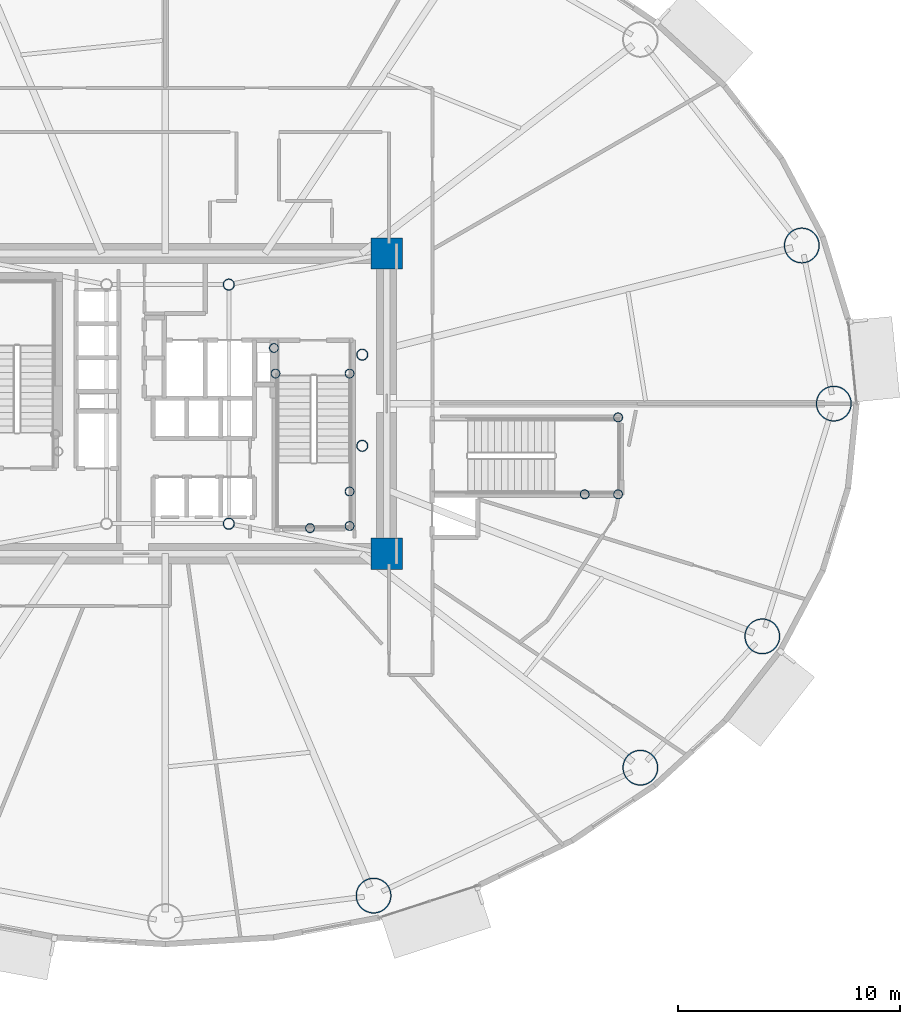
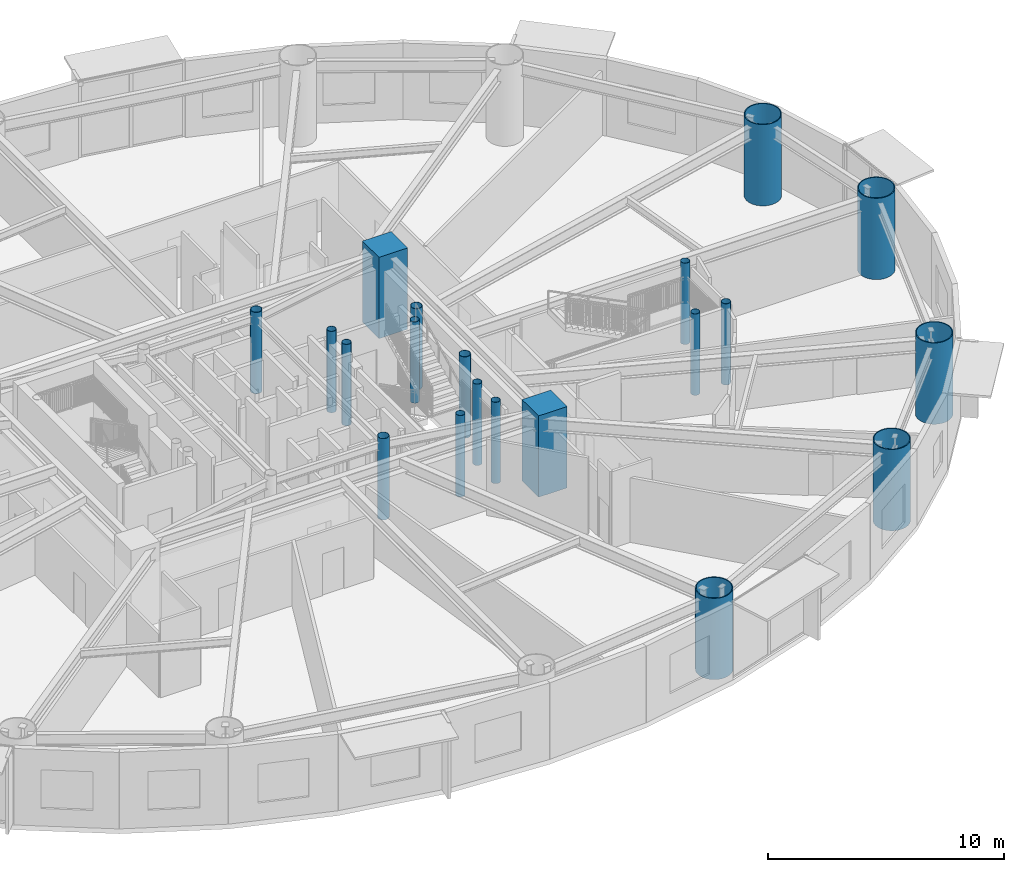
# One storey, part 2 of 32: 20 columns.
"""IFC4 building model written with IfcOpenShell, lengths in metres."""

from ifc_helpers import new_model, si_unit, direction, frame, origin, origin_2d, place, context, subcontext, project, spatial, rectangle, hollow_circle, extrude, material, material_profile, profile_set, type_object, element, save


model = new_model("IFC4")

# Units and contexts
model_context = context("Model", 3, precision=1e-05, world=origin(), true_north=direction((0.0, 1.0)))
body_context = subcontext(model_context, "Body", "Model", "MODEL_VIEW")
ifc_project = project(units=[si_unit("LENGTHUNIT", "METRE"), si_unit("AREAUNIT", "SQUARE_METRE"), si_unit("VOLUMEUNIT", "CUBIC_METRE"), si_unit("PLANEANGLEUNIT", "RADIAN"), si_unit("MASSUNIT", "GRAM", prefix="KILO")], contexts=[model_context])

# Site, building, storey
site_placement = place(None, origin())
site = spatial("IfcSite", under=ifc_project, at=site_placement, CompositionType="ELEMENT")
building_placement = place(site_placement, origin())
building = spatial("IfcBuilding", under=site, at=building_placement, Name="Linh Dai School and Residence Tower", CompositionType="ELEMENT")
storey_placement = place(building_placement, frame((0.0, 0.0, 40.800048828125)))
storey = spatial("IfcBuildingStorey", under=building, at=storey_placement, Name="L09", CompositionType="ELEMENT", Elevation=40.800048828125)

# Columns
ifc_material_1 = material(Name="Concrete B60 (C50/60)", Category="concrete")
ifc_material_profile_1 = material_profile(ifc_material_1, rectangle(XDim=1.39990234375, YDim=1.39990234375, at=origin_2d()), Name="RC 1400x1400")
ifc_profile_set_1 = profile_set([ifc_material_profile_1], Name="Concrete B60 (C50/60)")
column_type_1 = type_object("IfcColumnType", Name="COL-CC1", PredefinedType="COLUMN", material=ifc_profile_set_1)
for number, where, z_axis, x_axis, name in (
    (1, (45.949951171875, 20.25, 0.0), (0.0, 0.0, 1.0), (1.0, 0.0, 0.0), "L09 Core Corner Pier CC2"),
    (2, (45.949951171875, 33.75, 0.0), (0.0, 0.0, 1.0), (1.0, 0.0, 0.0), "L09 Core Corner Pier CC3"),
):
    element("IfcColumn", number, at=place(storey_placement, frame(where, z_axis=z_axis, x_axis=x_axis)), inside=storey, type_object=column_type_1, Name=name, PredefinedType="COLUMN", context=body_context, shape_type="SweptSolid", body=[
        extrude(rectangle(XDim=1.39990234375, YDim=1.39990234375, at=origin_2d()), origin(), (0.0, 0.0, 1.0), 4.199951171875),
    ])
ifc_material_2 = material(Name="Structural Steel S355JR", Category="steel")
ifc_material_profile_2 = material_profile(ifc_material_2, hollow_circle(Radius=0.203125, WallThickness=0.01611328125, at=origin_2d()), Name="CHS 406.4x16")
ifc_profile_set_2 = profile_set([ifc_material_profile_2], Name="Structural Steel S355JR")
column_type_2 = type_object("IfcColumnType", Name="COL-EC", PredefinedType="COLUMN", material=ifc_profile_set_2)
for number, where, z_axis, x_axis, name in (
    (3, (44.280029296875, 21.5, 0.0), (0.0, 0.0, 1.0), (1.0, 0.0, 0.0), "L09 Stair Shaft Landing Support Pier ST2SE"),
    (4, (44.280029296875, 23.050048828125, 0.0), (0.0, 0.0, 1.0), (1.0, 0.0, 0.0), "L09 Stair Shaft Landing Support Pier ST2NE"),
    (5, (42.5, 21.39990234375, 0.0), (0.0, 0.0, 1.0), (1.0, 0.0, 0.0), "L09 Stair Shaft Landing Support Pier ST2MS"),
    (6, (40.949951171875, 28.35009765625, 0.0), (0.0, 0.0, 1.0), (1.0, 0.0, 0.0), "L09 Stair Shaft Landing Support Pier ST2N1"),
    (7, (44.280029296875, 28.35009765625, 0.0), (0.0, 0.0, 1.0), (1.0, 0.0, 0.0), "L09 Stair Shaft Landing Support Pier ST2N2"),
    (8, (40.8798828125, 29.5, 0.0), (0.0, 0.0, 1.0), (1.0, 0.0, 0.0), "L09 Stair Shaft Landing Support Pier ST2N3"),
    (9, (56.35009765625, 26.3798828125, 0.0), (0.0, 0.0, 1.0), (1.0, 0.0, 0.0), "L09 Stair Shaft Landing Support Pier STS2NE"),
    (10, (56.35009765625, 22.919921875, 0.0), (0.0, 0.0, 1.0), (1.0, 0.0, 0.0), "L09 Stair Shaft Landing Support Pier STS2SE"),
    (11, (54.85009765625, 22.919921875, 0.0), (0.0, 0.0, 1.0), (1.0, 0.0, 0.0), "L09 Stair Shaft Landing Support Pier STS2MW"),
):
    element("IfcColumn", number, at=place(storey_placement, frame(where, z_axis=z_axis, x_axis=x_axis)), inside=storey, type_object=column_type_2, Name=name, PredefinedType="COLUMN", context=body_context, shape_type="SweptSolid", body=[
        extrude(hollow_circle(Radius=0.203125, WallThickness=0.01611328125, at=origin_2d()), origin(), (0.0, 0.0, 1.0), 4.199951171875),
    ])
ifc_material_profile_3 = material_profile(ifc_material_2, hollow_circle(Radius=0.800048828125, WallThickness=0.044921875, at=origin_2d()), Name="CHS 1600x45")
ifc_profile_set_3 = profile_set([ifc_material_profile_3], Name="Structural Steel S355JR")
column_type_3 = type_object("IfcColumnType", Name="COL-MC2", PredefinedType="COLUMN", material=ifc_profile_set_3)
for number, where, z_axis, x_axis, name in (
    (12, (66.050048828125, 27.0, 0.0), (0.0, 0.0, 1.0), (1.0, 0.0, 0.0), "L09 Perimeter CFT Mega-Column MC01"),
    (13, (64.61083984375, 34.108642578125, 0.0), (0.0, 0.0, 1.0), (1.0, 0.0, 0.0), "L09 Perimeter CFT Mega-Column MC02"),
    (14, (45.357666015625, 4.880126953125, 0.0), (0.0, 0.0, 1.0), (1.0, 0.0, 0.0), "L09 Perimeter CFT Mega-Column MC14"),
    (15, (57.352783203125, 10.630859375, 0.0), (0.0, 0.0, 1.0), (1.0, 0.0, 0.0), "L09 Perimeter CFT Mega-Column MC15"),
    (16, (62.83544921875, 16.5361328125, 0.0), (0.0, 0.0, 1.0), (1.0, 0.0, 0.0), "L09 Perimeter CFT Mega-Column MC16"),
):
    element("IfcColumn", number, at=place(storey_placement, frame(where, z_axis=z_axis, x_axis=x_axis)), inside=storey, type_object=column_type_3, Name=name, PredefinedType="COLUMN", context=body_context, shape_type="SweptSolid", body=[
        extrude(hollow_circle(Radius=0.800048828125, WallThickness=0.044921875, at=origin_2d()), origin(), (0.0, 0.0, 1.0), 4.199951171875),
    ])
ifc_material_profile_4 = material_profile(ifc_material_2, hollow_circle(Radius=0.25390625, WallThickness=0.02001953125, at=origin_2d()), Name="CHS 508x20")
ifc_profile_set_4 = profile_set([ifc_material_profile_4], Name="Structural Steel S355JR")
column_type_4 = type_object("IfcColumnType", Name="COL-MCP", PredefinedType="COLUMN", material=ifc_profile_set_4)
for number, where, z_axis, x_axis, name in (
    (17, (38.85009765625, 21.60009765625, 0.0), (0.0, 0.0, 1.0), (1.0, 0.0, 0.0), "L09 Core Mast Support Pier MCP2"),
    (18, (38.85009765625, 32.35009765625, 0.0), (0.0, 0.0, 1.0), (1.0, 0.0, 0.0), "L09 Core Mast Support Pier MCP3"),
    (19, (44.85009765625, 25.10009765625, 0.0), (0.0, 0.0, 1.0), (1.0, 0.0, 0.0), "L09 Sky-Lounge Core Anchor Pier S"),
    (20, (44.85009765625, 29.199951171875, 0.0), (0.0, 0.0, 1.0), (1.0, 0.0, 0.0), "L09 Sky-Lounge Core Anchor Pier N"),
):
    element("IfcColumn", number, at=place(storey_placement, frame(where, z_axis=z_axis, x_axis=x_axis)), inside=storey, type_object=column_type_4, Name=name, PredefinedType="COLUMN", context=body_context, shape_type="SweptSolid", body=[
        extrude(hollow_circle(Radius=0.25390625, WallThickness=0.02001953125, at=origin_2d()), origin(), (0.0, 0.0, 1.0), 4.199951171875),
    ])

save(model, "model.ifc")
